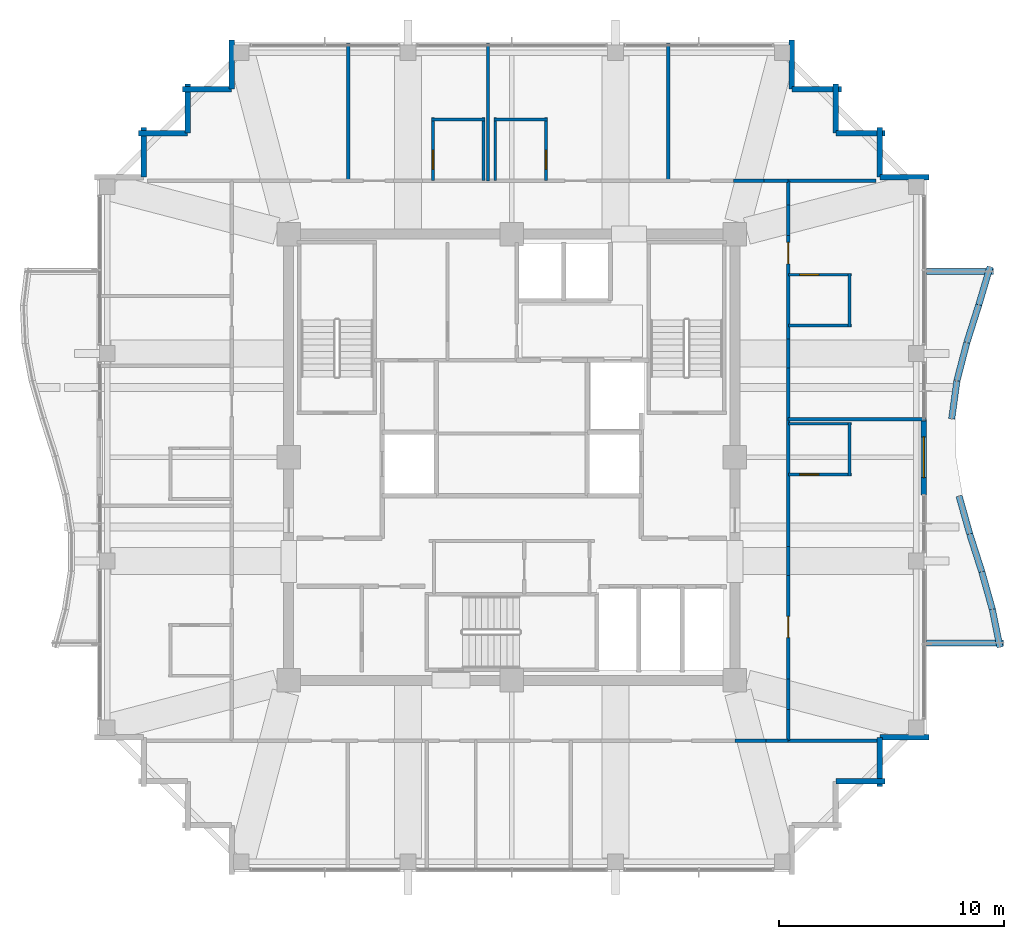
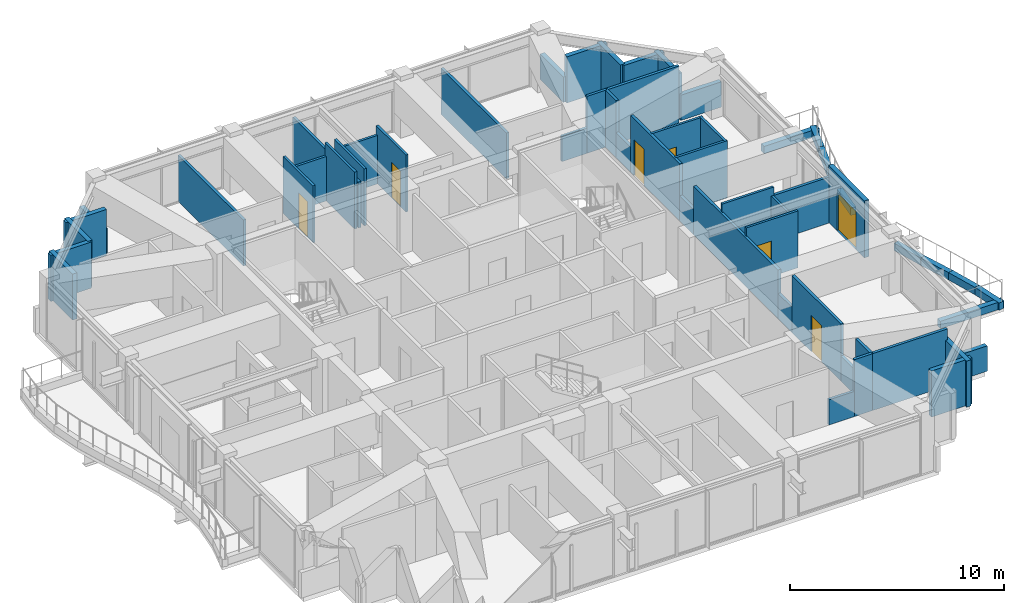
# One storey, part 28 of 31: 56 walls, 7 doors, 7 openings.
"""IFC4 building model written with IfcOpenShell, lengths in metres."""

from ifc_helpers import new_model, si_unit, direction, frame, frame_2d, origin, place, context, subcontext, project, spatial, rectangle, extrude, material, layer, layer_set, type_object, element, fill, save


model = new_model("IFC4")

# Units and contexts
model_context = context("Model", 3, precision=1e-05, world=origin(), true_north=direction((0.0, 1.0)))
body_context = subcontext(model_context, "Body", "Model", "MODEL_VIEW")
ifc_project = project(units=[si_unit("LENGTHUNIT", "METRE"), si_unit("AREAUNIT", "SQUARE_METRE"), si_unit("VOLUMEUNIT", "CUBIC_METRE"), si_unit("PLANEANGLEUNIT", "RADIAN"), si_unit("MASSUNIT", "GRAM", prefix="KILO")], contexts=[model_context])

# Site, building, storey
site_placement = place(None, origin())
site = spatial("IfcSite", under=ifc_project, at=site_placement, CompositionType="ELEMENT")
building_placement = place(site_placement, origin())
building = spatial("IfcBuilding", under=site, at=building_placement, Name="Kolvaren Belvedere", CompositionType="ELEMENT")
storey_placement = place(building_placement, frame((0.0, 0.0, 237.39990234375)))
storey = spatial("IfcBuildingStorey", under=building, at=storey_placement, Name="L69", CompositionType="ELEMENT", Elevation=237.39990234375)

# Walls
ifc_material_1 = material(Name="Gypsum fire-rated partition assembly", Category="gypsum")
ifc_layer_1 = layer(ifc_material_1, 0.14990234375)
ifc_layer_set_1 = layer_set([ifc_layer_1], Name="Gypsum fire-rated partition assembly")
wall_type_1 = type_object("IfcWallType", Name="WL-CORR-150", PredefinedType="PARTITIONING", material=ifc_layer_set_1)
wall_1_placement = place(storey_placement, frame((9.913818359375, -12.580078125, 0.0), z_axis=(0.0, 0.0, 1.0), x_axis=(1.0, 0.0, 0.0)))
element("IfcWall", 1, at=wall_1_placement, inside=storey, type_object=wall_type_1, Name="L69 South Corridor Wall", PredefinedType="PARTITIONING", context=body_context, shape_type="SweptSolid", body=[
    extrude(rectangle(XDim=1.370361328125, YDim=0.14990234375, at=frame_2d((0.68505859375, 0.0))), origin(), (0.0, 0.0, 1.0), 1.43505859375),
])
wall_2_placement = place(storey_placement, frame((11.2841796875, -12.580078125, 0.0), z_axis=(0.0, 0.0, 1.0), x_axis=(1.0, 0.0, 0.0)))
element("IfcWall", 2, at=wall_2_placement, inside=storey, type_object=wall_type_1, Name="L69 South Corridor Wall", PredefinedType="PARTITIONING", context=body_context, shape_type="SweptSolid", body=[
    extrude(rectangle(XDim=0.975830078125, YDim=0.14990234375, at=frame_2d((0.48779296875, 0.0))), origin(), (0.0, 0.0, 1.0), 3.25),
])
wall_3_placement = place(storey_placement, frame((9.83056640625, 12.260009765625, 0.0), z_axis=(0.0, 0.0, 1.0), x_axis=(1.0, 0.0, 0.0)))
element("IfcWall", 3, at=wall_3_placement, inside=storey, type_object=wall_type_1, Name="L69 North Corridor Wall", PredefinedType="PARTITIONING", context=body_context, shape_type="SweptSolid", body=[
    extrude(rectangle(XDim=1.3701171875, YDim=0.14990234375, at=frame_2d((0.68505859375, 0.0))), origin(), (0.0, 0.0, 1.0), 1.43505859375),
])
wall_4_placement = place(storey_placement, frame((11.20068359375, 12.260009765625, 0.0), z_axis=(0.0, 0.0, 1.0), x_axis=(1.0, 0.0, 0.0)))
element("IfcWall", 4, at=wall_4_placement, inside=storey, type_object=wall_type_1, Name="L69 North Corridor Wall", PredefinedType="PARTITIONING", context=body_context, shape_type="SweptSolid", body=[
    extrude(rectangle(XDim=1.059326171875, YDim=0.14990234375, at=frame_2d((0.52978515625, 0.0))), origin(), (0.0, 0.0, 1.0), 3.25),
])
wall_5_placement = place(storey_placement, frame((12.260009765625, -12.580078125, 0.0), z_axis=(0.0, 0.0, 1.0), x_axis=(0.0, 1.0, 0.0)))
element("IfcWall", 5, at=wall_5_placement, inside=storey, type_object=wall_type_1, Name="L69 East Corridor Wall", PredefinedType="PARTITIONING", context=body_context, shape_type="SweptSolid", body=[
    extrude(rectangle(XDim=1.37939453125, YDim=0.14990234375, at=frame_2d((0.689697265625, 0.0))), origin(), (0.0, 0.0, 1.0), 3.25),
])
wall_6_placement = place(storey_placement, frame((12.260009765625, -11.20068359375, 0.0), z_axis=(0.0, 0.0, 1.0), x_axis=(0.0, 1.0, 0.0)))
element("IfcWall", 6, at=wall_6_placement, inside=storey, type_object=wall_type_1, Name="L69 East Corridor Wall", PredefinedType="PARTITIONING", context=body_context, shape_type="SweptSolid", body=[
    extrude(rectangle(XDim=1.3701171875, YDim=0.14990234375, at=frame_2d((0.68505859375, 0.0))), origin(), (0.0, 0.0, 1.0), 1.43505859375),
])

# Wall, opening, door
wall_7_placement = place(storey_placement, frame((12.260009765625, -9.83056640625, 0.0), z_axis=(0.0, 0.0, 1.0), x_axis=(0.0, 1.0, 0.0)))
wall_7 = element("IfcWall", 7, at=wall_7_placement, inside=storey, type_object=wall_type_1, Name="L69 East Corridor Wall", PredefinedType="PARTITIONING", context=body_context, shape_type="SweptSolid", body=[
    extrude(rectangle(XDim=4.588623046875, YDim=0.14990234375, at=frame_2d((2.29443359375, 0.0))), origin(), (0.0, 0.0, 1.0), 3.25),
])
opening_1_placement = place(wall_7_placement, frame((1.820556640625, 0.0, 0.0)))
opening_1 = element("IfcOpeningElement", 8, at=opening_1_placement, cuts=wall_7, Name="Opening D-FD60", PredefinedType="OPENING", context=body_context, shape_type="SweptSolid", body=[
    extrude(rectangle(XDim=0.949951171875, YDim=2.06005859375, at=frame_2d((0.47509765625, 1.030029296875))), frame((0.0, 0.0849609375, 0.0), z_axis=(0.0, -1.0, 0.0), x_axis=(1.0, 0.0, 0.0)), (0.0, 0.0, 1.0), 0.169921875),
])
ifc_material_2 = material(Name="Acoustic white-oak fire door leaf", Category="timber")
door_type_1 = type_object("IfcDoorType", Name="DR-FD60-950", OperationType="NOTDEFINED", PredefinedType="DOOR", material=ifc_material_2)
door_1_placement = place(opening_1_placement, origin())
door_1 = element("IfcDoor", 9, at=door_1_placement, inside=storey, type_object=door_type_1, Name="L69 King Guest Room 6904 Entry Door", OperationType="SINGLE_SWING_LEFT", OverallHeight=2.06005859375, OverallWidth=0.949951171875, PredefinedType="DOOR", context=body_context, shape_type="SweptSolid", body=[
    extrude(rectangle(XDim=0.949951171875, YDim=2.06005859375, at=frame_2d((0.47509765625, 1.030029296875))), frame((0.0, 0.02490234375, 0.0), z_axis=(0.0, -1.0, 0.0), x_axis=(1.0, 0.0, 0.0)), (0.0, 0.0, 1.0), 0.050048828125),
])
fill(opening_1, door_1)

# Walls
wall_8_placement = place(storey_placement, frame((12.260009765625, -5.241943359375, 0.0), z_axis=(0.0, 0.0, 1.0), x_axis=(0.0, 1.0, 0.0)))
element("IfcWall", 10, at=wall_8_placement, inside=storey, type_object=wall_type_1, Name="L69 East Corridor Wall", PredefinedType="PARTITIONING", context=body_context, shape_type="SweptSolid", body=[
    extrude(rectangle(XDim=1.283935546875, YDim=0.14990234375, at=frame_2d((0.64208984375, 0.0))), origin(), (0.0, 0.0, 1.0), 1.43505859375),
])
wall_9_placement = place(storey_placement, frame((12.260009765625, -3.9580078125, 0.0), z_axis=(0.0, 0.0, 1.0), x_axis=(0.0, 1.0, 0.0)))
element("IfcWall", 11, at=wall_9_placement, inside=storey, type_object=wall_type_1, Name="L69 East Corridor Wall", PredefinedType="PARTITIONING", context=body_context, shape_type="SweptSolid", body=[
    extrude(rectangle(XDim=7.916015625, YDim=0.14990234375, at=frame_2d((3.9580078125, 0.0))), origin(), (0.0, 0.0, 1.0), 2.775146484375),
])
wall_10_placement = place(storey_placement, frame((12.260009765625, 3.9580078125, 0.0), z_axis=(0.0, 0.0, 1.0), x_axis=(0.0, 1.0, 0.0)))
element("IfcWall", 12, at=wall_10_placement, inside=storey, type_object=wall_type_1, Name="L69 East Corridor Wall", PredefinedType="PARTITIONING", context=body_context, shape_type="SweptSolid", body=[
    extrude(rectangle(XDim=1.283935546875, YDim=0.14990234375, at=frame_2d((0.64208984375, 0.0))), origin(), (0.0, 0.0, 1.0), 1.43505859375),
])

# Wall, opening, door
wall_11_placement = place(storey_placement, frame((12.260009765625, 5.241943359375, 0.0), z_axis=(0.0, 0.0, 1.0), x_axis=(0.0, 1.0, 0.0)))
wall_11 = element("IfcWall", 13, at=wall_11_placement, inside=storey, type_object=wall_type_1, Name="L69 East Corridor Wall", PredefinedType="PARTITIONING", context=body_context, shape_type="SweptSolid", body=[
    extrude(rectangle(XDim=4.588623046875, YDim=0.14990234375, at=frame_2d((2.29443359375, 0.0))), origin(), (0.0, 0.0, 1.0), 3.25),
])
opening_2_placement = place(wall_11_placement, frame((3.340576171875, 0.0, 0.0)))
opening_2 = element("IfcOpeningElement", 14, at=opening_2_placement, cuts=wall_11, Name="Opening D-FD60", PredefinedType="OPENING", context=body_context, shape_type="SweptSolid", body=[
    extrude(rectangle(XDim=0.949951171875, YDim=2.06005859375, at=frame_2d((0.47509765625, 1.030029296875))), frame((0.0, 0.0849609375, 0.0), z_axis=(0.0, -1.0, 0.0), x_axis=(1.0, 0.0, 0.0)), (0.0, 0.0, 1.0), 0.169921875),
])
door_2_placement = place(opening_2_placement, origin())
door_2 = element("IfcDoor", 15, at=door_2_placement, inside=storey, type_object=door_type_1, Name="L69 King Guest Room 6905 Entry Door", OperationType="SINGLE_SWING_LEFT", OverallHeight=2.06005859375, OverallWidth=0.949951171875, PredefinedType="DOOR", context=body_context, shape_type="SweptSolid", body=[
    extrude(rectangle(XDim=0.949951171875, YDim=2.06005859375, at=frame_2d((0.47509765625, 1.030029296875))), frame((0.0, 0.02490234375, 0.0), z_axis=(0.0, -1.0, 0.0), x_axis=(1.0, 0.0, 0.0)), (0.0, 0.0, 1.0), 0.050048828125),
])
fill(opening_2, door_2)

# Walls
wall_12_placement = place(storey_placement, frame((12.260009765625, 9.83056640625, 0.0), z_axis=(0.0, 0.0, 1.0), x_axis=(0.0, 1.0, 0.0)))
element("IfcWall", 16, at=wall_12_placement, inside=storey, type_object=wall_type_1, Name="L69 East Corridor Wall", PredefinedType="PARTITIONING", context=body_context, shape_type="SweptSolid", body=[
    extrude(rectangle(XDim=1.3701171875, YDim=0.14990234375, at=frame_2d((0.68505859375, 0.0))), origin(), (0.0, 0.0, 1.0), 1.43505859375),
])
wall_13_placement = place(storey_placement, frame((12.260009765625, 11.20068359375, 0.0), z_axis=(0.0, 0.0, 1.0), x_axis=(0.0, 1.0, 0.0)))
element("IfcWall", 17, at=wall_13_placement, inside=storey, type_object=wall_type_1, Name="L69 East Corridor Wall", PredefinedType="PARTITIONING", context=body_context, shape_type="SweptSolid", body=[
    extrude(rectangle(XDim=1.059326171875, YDim=0.14990234375, at=frame_2d((0.52978515625, 0.0))), origin(), (0.0, 0.0, 1.0), 3.25),
])
ifc_material_3 = material(Name="Insulated pale-metal facade wall assembly", Category="aluminium")
ifc_layer_2 = layer(ifc_material_3, 0.239990234375)
ifc_layer_set_2 = layer_set([ifc_layer_2], Name="Insulated pale-metal facade wall assembly")
wall_type_2 = type_object("IfcWallType", Name="WL-EXT-240", PredefinedType="STANDARD", material=ifc_layer_set_2)
for number, where, z_axis, x_axis, name in (
    (18, (16.570068359375, -14.3798828125, 0.0), (0.0, 0.0, 1.0), (-1.0, 0.0, 0.0), "L69 Serrated Corner Facade Wall 5"),
    (19, (16.330078125, -12.429931640625, 0.0), (0.0, 0.0, 1.0), (0.0, -1.0, 0.0), "L69 Serrated Corner Facade Wall 6"),
):
    element("IfcWall", number, at=place(storey_placement, frame(where, z_axis=z_axis, x_axis=x_axis)), inside=storey, type_object=wall_type_2, Name=name, PredefinedType="STANDARD", context=body_context, shape_type="SweptSolid", body=[
        extrude(rectangle(XDim=2.190185546875, YDim=0.239990234375, at=frame_2d((1.09521484375, 0.0))), origin(), (0.0, 0.0, 1.0), 2.633056640625),
    ])
wall_14_placement = place(storey_placement, frame((18.52001953125, -12.429931640625, 0.0), z_axis=(0.0, 0.0, 1.0), x_axis=(-1.0, 0.0, 0.0)))
element("IfcWall", 20, at=wall_14_placement, inside=storey, type_object=wall_type_2, Name="L69 Serrated Corner Facade Wall 7", PredefinedType="STANDARD", context=body_context, shape_type="SweptSolid", body=[
    extrude(rectangle(XDim=2.18994140625, YDim=0.239990234375, at=frame_2d((1.094970703125, 0.0))), origin(), (0.0, 0.0, 1.0), 1.445068359375),
])

# Wall, opening, door
wall_15_placement = place(storey_placement, frame((18.280029296875, 1.679931640625, 0.0), z_axis=(0.0, 0.0, 1.0), x_axis=(0.0, -1.0, 0.0)))
wall_15 = element("IfcWall", 21, at=wall_15_placement, inside=storey, type_object=wall_type_2, Name="L69 East Terrace Portal Wall", PredefinedType="STANDARD", context=body_context, shape_type="SweptSolid", body=[
    extrude(rectangle(XDim=3.35986328125, YDim=0.239990234375, at=frame_2d((1.679931640625, 0.0))), origin(), (0.0, 0.0, 1.0), 3.25),
])
opening_3_placement = place(wall_15_placement, frame((0.780029296875, 0.0, 0.0)))
opening_3 = element("IfcOpeningElement", 22, at=opening_3_placement, cuts=wall_15, Name="Opening DB-1800", PredefinedType="OPENING", context=body_context, shape_type="SweptSolid", body=[
    extrude(rectangle(XDim=1.800048828125, YDim=2.199951171875, at=frame_2d((0.89990234375, 1.10009765625))), frame((0.0, 0.1298828125, 0.0), z_axis=(0.0, -1.0, 0.0), x_axis=(1.0, 0.0, 0.0)), (0.0, 0.0, 1.0), 0.260009765625),
])
ifc_material_4 = material(Name="Thermally broken pale-metal aluminium & low-iron glass", Category="aluminium")
door_type_2 = type_object("IfcDoorType", Name="DR-BAL-1800", OperationType="DOUBLE_DOOR_SLIDING", PredefinedType="DOOR", material=ifc_material_4)
door_3_placement = place(opening_3_placement, origin())
door_3 = element("IfcDoor", 23, at=door_3_placement, inside=storey, type_object=door_type_2, Name="L69 East Planted Terrace Sliding Door", OperationType="DOUBLE_DOOR_SLIDING", OverallHeight=2.199951171875, OverallWidth=1.800048828125, PredefinedType="DOOR", context=body_context, shape_type="SweptSolid", body=[
    extrude(rectangle(XDim=1.800048828125, YDim=2.199951171875, at=frame_2d((0.89990234375, 1.10009765625))), frame((0.0, 0.02490234375, 0.0), z_axis=(0.0, -1.0, 0.0), x_axis=(1.0, 0.0, 0.0)), (0.0, 0.0, 1.0), 0.050048828125),
])
fill(opening_3, door_3)

# Walls
wall_16_placement = place(storey_placement, frame((16.330078125, 12.429931640625, 0.0), z_axis=(0.0, 0.0, 1.0), x_axis=(1.0, 0.0, 0.0)))
element("IfcWall", 24, at=wall_16_placement, inside=storey, type_object=wall_type_2, Name="L69 Serrated Corner Facade Wall 9", PredefinedType="STANDARD", context=body_context, shape_type="SweptSolid", body=[
    extrude(rectangle(XDim=2.18994140625, YDim=0.239990234375, at=frame_2d((1.094970703125, 0.0))), origin(), (0.0, 0.0, 1.0), 1.445068359375),
])
for number, where, z_axis, x_axis, name in (
    (25, (16.330078125, 14.6201171875, 0.0), (0.0, 0.0, 1.0), (0.0, -1.0, 0.0), "L69 Serrated Corner Facade Wall 10"),
    (26, (14.3798828125, 14.3798828125, 0.0), (0.0, 0.0, 1.0), (1.0, 0.0, 0.0), "L69 Serrated Corner Facade Wall 11"),
    (27, (14.3798828125, 16.570068359375, 0.0), (0.0, 0.0, 1.0), (0.0, -1.0, 0.0), "L69 Serrated Corner Facade Wall 12"),
    (28, (12.429931640625, 16.330078125, 0.0), (0.0, 0.0, 1.0), (1.0, 0.0, 0.0), "L69 Serrated Corner Facade Wall 13"),
):
    element("IfcWall", number, at=place(storey_placement, frame(where, z_axis=z_axis, x_axis=x_axis)), inside=storey, type_object=wall_type_2, Name=name, PredefinedType="STANDARD", context=body_context, shape_type="SweptSolid", body=[
        extrude(rectangle(XDim=2.190185546875, YDim=0.239990234375, at=frame_2d((1.09521484375, 0.0))), origin(), (0.0, 0.0, 1.0), 2.633056640625),
    ])
for number, where, z_axis, x_axis, name in (
    (29, (12.429931640625, 18.52001953125, 0.0), (0.0, 0.0, 1.0), (0.0, -1.0, 0.0), "L69 Serrated Corner Facade Wall 14"),
    (30, (-12.429931640625, 16.330078125, 0.0), (0.0, 0.0, 1.0), (0.0, 1.0, 0.0), "L69 Serrated Corner Facade Wall 16"),
):
    element("IfcWall", number, at=place(storey_placement, frame(where, z_axis=z_axis, x_axis=x_axis)), inside=storey, type_object=wall_type_2, Name=name, PredefinedType="STANDARD", context=body_context, shape_type="SweptSolid", body=[
        extrude(rectangle(XDim=2.18994140625, YDim=0.239990234375, at=frame_2d((1.094970703125, 0.0))), origin(), (0.0, 0.0, 1.0), 1.445068359375),
    ])
for number, where, z_axis, x_axis, name in (
    (31, (-14.6201171875, 16.330078125, 0.0), (0.0, 0.0, 1.0), (1.0, 0.0, 0.0), "L69 Serrated Corner Facade Wall 17"),
    (32, (-14.3798828125, 14.3798828125, 0.0), (0.0, 0.0, 1.0), (0.0, 1.0, 0.0), "L69 Serrated Corner Facade Wall 18"),
    (33, (-16.570068359375, 14.3798828125, 0.0), (0.0, 0.0, 1.0), (1.0, 0.0, 0.0), "L69 Serrated Corner Facade Wall 19"),
    (34, (-16.330078125, 12.429931640625, 0.0), (0.0, 0.0, 1.0), (0.0, 1.0, 0.0), "L69 Serrated Corner Facade Wall 20"),
):
    element("IfcWall", number, at=place(storey_placement, frame(where, z_axis=z_axis, x_axis=x_axis)), inside=storey, type_object=wall_type_2, Name=name, PredefinedType="STANDARD", context=body_context, shape_type="SweptSolid", body=[
        extrude(rectangle(XDim=2.190185546875, YDim=0.239990234375, at=frame_2d((1.09521484375, 0.0))), origin(), (0.0, 0.0, 1.0), 2.633056640625),
    ])
ifc_material_5 = material(Name="Gypsum acoustic partition assembly", Category="gypsum")
ifc_layer_3 = layer(ifc_material_5, 0.14990234375)
ifc_layer_set_3 = layer_set([ifc_layer_3], Name="Gypsum acoustic partition assembly")
wall_type_3 = type_object("IfcWallType", Name="WL-PART-150", PredefinedType="PARTITIONING", material=ifc_layer_set_3)
wall_17_placement = place(storey_placement, frame((12.260009765625, -12.580078125, 0.0), z_axis=(0.0, 0.0, 1.0), x_axis=(1.0, 0.0, 0.0)))
element("IfcWall", 35, at=wall_17_placement, inside=storey, type_object=wall_type_3, Name="L69 Wing Divider PW-L69-QSE", PredefinedType="PARTITIONING", context=body_context, shape_type="SweptSolid", body=[
    extrude(rectangle(XDim=4.06005859375, YDim=0.14990234375, at=frame_2d((2.030029296875, 0.0))), origin(), (0.0, 0.0, 1.0), 3.25),
])
wall_18_placement = place(storey_placement, frame((12.260009765625, 12.260009765625, 0.0), z_axis=(0.0, 0.0, 1.0), x_axis=(1.0, 0.0, 0.0)))
element("IfcWall", 36, at=wall_18_placement, inside=storey, type_object=wall_type_3, Name="L69 Wing Divider PW-L69-QNE", PredefinedType="PARTITIONING", context=body_context, shape_type="SweptSolid", body=[
    extrude(rectangle(XDim=3.8984375, YDim=0.14990234375, at=frame_2d((1.94921875, 0.0))), origin(), (0.0, 0.0, 1.0), 3.25),
])
for number, where, z_axis, x_axis, name in (
    (37, (12.260009765625, 1.679931640625, 0.0), (0.0, 0.0, 1.0), (1.0, 0.0, 0.0), "L69 East Suite Demising Wall 1"),
    (38, (-7.251953125, 12.260009765625, 0.0), (0.0, 0.0, 1.0), (0.0, 1.0, 0.0), "L69 North Suite Demising Wall 1"),
    (39, (-1.052001953125, 12.260009765625, 0.0), (0.0, 0.0, 1.0), (0.0, 1.0, 0.0), "L69 North Suite Demising Wall 2"),
    (40, (6.947998046875, 12.260009765625, 0.0), (0.0, 0.0, 1.0), (0.0, 1.0, 0.0), "L69 North Suite Demising Wall 3"),
):
    element("IfcWall", number, at=place(storey_placement, frame(where, z_axis=z_axis, x_axis=x_axis)), inside=storey, type_object=wall_type_3, Name=name, PredefinedType="PARTITIONING", context=body_context, shape_type="SweptSolid", body=[
        extrude(rectangle(XDim=6.119873046875, YDim=0.14990234375, at=frame_2d((3.06005859375, 0.0))), origin(), (0.0, 0.0, 1.0), 2.623046875),
    ])
ifc_material_6 = material(Name="Precast concrete C40/50", Category="concrete")
ifc_layer_4 = layer(ifc_material_6, 0.300048828125)
ifc_layer_set_4 = layer_set([ifc_layer_4], Name="Precast concrete C40/50")
wall_type_4 = type_object("IfcWallType", Name="WL-PLANTER-300", PredefinedType="PARAPET", material=ifc_layer_set_4)
wall_19_placement = place(storey_placement, frame((21.6630859375, -8.431884765625, -0.06982421875), z_axis=(0.0, 0.0, 1.0), x_axis=(-0.198662427795, 0.980067977123, 0.0)))
element("IfcWall", 41, at=wall_19_placement, inside=storey, type_object=wall_type_4, Name="L69 Precast Structural Planter Wall BAL-E-1", PredefinedType="PARAPET", context=body_context, shape_type="SweptSolid", body=[
    extrude(rectangle(XDim=1.71435546875, YDim=0.280029296875, at=frame_2d((0.857177734375, 0.0))), origin(), (0.0, 0.0, 1.0), 0.419921875),
])
wall_20_placement = place(storey_placement, frame((21.3251953125, -6.76318359375, -0.06982421875), z_axis=(0.0, 0.0, 1.0), x_axis=(-0.269801210823, 0.962916043401, 0.0)))
element("IfcWall", 42, at=wall_20_placement, inside=storey, type_object=wall_type_4, Name="L69 Precast Structural Planter Wall BAL-E-2", PredefinedType="PARAPET", context=body_context, shape_type="SweptSolid", body=[
    extrude(rectangle(XDim=1.74462890625, YDim=0.280029296875, at=frame_2d((0.872314453125, 0.0))), origin(), (0.0, 0.0, 1.0), 0.419921875),
])
wall_21_placement = place(storey_placement, frame((20.856201171875, -5.088623046875, -0.06982421875), z_axis=(0.0, 0.0, 1.0), x_axis=(-0.304534629099, 0.952501264923, 0.0)))
element("IfcWall", 43, at=wall_21_placement, inside=storey, type_object=wall_type_4, Name="L69 Precast Structural Planter Wall BAL-E-3", PredefinedType="PARAPET", context=body_context, shape_type="SweptSolid", body=[
    extrude(rectangle(XDim=1.763671875, YDim=0.280029296875, at=frame_2d((0.8818359375, 0.0))), origin(), (0.0, 0.0, 1.0), 0.419921875),
])
wall_22_placement = place(storey_placement, frame((20.3173828125, -3.4033203125, -0.06982421875), z_axis=(0.0, 0.0, 1.0), x_axis=(-0.269764860108, 0.962926227834, 0.0)))
element("IfcWall", 44, at=wall_22_placement, inside=storey, type_object=wall_type_4, Name="L69 Precast Structural Planter Wall BAL-E-4", PredefinedType="PARAPET", context=body_context, shape_type="SweptSolid", body=[
    extrude(rectangle(XDim=1.744873046875, YDim=0.280029296875, at=frame_2d((0.87255859375, 0.0))), origin(), (0.0, 0.0, 1.0), 0.419921875),
])
wall_23_placement = place(storey_placement, frame((19.5205078125, 1.70166015625, -0.06982421875), z_axis=(0.0, 0.0, 1.0), x_axis=(0.134926850989, 0.990855562068, 0.0)))
element("IfcWall", 45, at=wall_23_placement, inside=storey, type_object=wall_type_4, Name="L69 Precast Structural Planter Wall BAL-E-7", PredefinedType="PARAPET", context=body_context, shape_type="SweptSolid", body=[
    extrude(rectangle(XDim=1.695556640625, YDim=0.280029296875, at=frame_2d((0.84765625, 0.0))), origin(), (0.0, 0.0, 1.0), 0.419921875),
])
wall_24_placement = place(storey_placement, frame((19.7529296875, 3.400146484375, -0.06982421875), z_axis=(0.0, 0.0, 1.0), x_axis=(0.250439664624, 0.968132209145, 0.0)))
element("IfcWall", 46, at=wall_24_placement, inside=storey, type_object=wall_type_4, Name="L69 Precast Structural Planter Wall BAL-E-8", PredefinedType="PARAPET", context=body_context, shape_type="SweptSolid", body=[
    extrude(rectangle(XDim=1.7353515625, YDim=0.280029296875, at=frame_2d((0.86767578125, 0.0))), origin(), (0.0, 0.0, 1.0), 0.419921875),
])
wall_25_placement = place(storey_placement, frame((20.18994140625, 5.08837890625, -0.06982421875), z_axis=(0.0, 0.0, 1.0), x_axis=(0.302397356111, 0.953181954832, 0.0)))
element("IfcWall", 47, at=wall_25_placement, inside=storey, type_object=wall_type_4, Name="L69 Precast Structural Planter Wall BAL-E-9", PredefinedType="PARAPET", context=body_context, shape_type="SweptSolid", body=[
    extrude(rectangle(XDim=1.762451171875, YDim=0.280029296875, at=frame_2d((0.88134765625, 0.0))), origin(), (0.0, 0.0, 1.0), 0.419921875),
])
wall_26_placement = place(storey_placement, frame((20.721923828125, 6.765625, -0.06982421875), z_axis=(0.0, 0.0, 1.0), x_axis=(0.28500831833, 0.958525043221, 0.0)))
element("IfcWall", 48, at=wall_26_placement, inside=storey, type_object=wall_type_4, Name="L69 Precast Structural Planter Wall BAL-E-10", PredefinedType="PARAPET", context=body_context, shape_type="SweptSolid", body=[
    extrude(rectangle(XDim=1.752685546875, YDim=0.280029296875, at=frame_2d((0.87646484375, 0.0))), origin(), (0.0, 0.0, 1.0), 0.419921875),
])
wall_27_placement = place(storey_placement, frame((21.374755859375, 8.239990234375, -0.06982421875), z_axis=(0.0, 0.0, 1.0), x_axis=(-1.0, 0.0, 0.0)))
element("IfcWall", 49, at=wall_27_placement, inside=storey, type_object=wall_type_4, Name="L69 Precast Structural Planter Wall BAL-E-11", PredefinedType="PARAPET", context=body_context, shape_type="SweptSolid", body=[
    extrude(rectangle(XDim=2.974853515625, YDim=0.280029296875, at=frame_2d((1.4873046875, 0.0))), origin(), (0.0, 0.0, 1.0), 0.419921875),
])
wall_28_placement = place(storey_placement, frame((18.39990234375, -8.239990234375, -0.06982421875), z_axis=(0.0, 0.0, 1.0), x_axis=(1.0, 0.0, 0.0)))
element("IfcWall", 50, at=wall_28_placement, inside=storey, type_object=wall_type_4, Name="L69 Precast Structural Planter Wall BAL-E-22", PredefinedType="PARAPET", context=body_context, shape_type="SweptSolid", body=[
    extrude(rectangle(XDim=3.420166015625, YDim=0.280029296875, at=frame_2d((1.7099609375, 0.0))), origin(), (0.0, 0.0, 1.0), 0.419921875),
])

# Wall, opening, door
ifc_material_7 = material(Name="Moisture-resistant gypsum partition", Category="gypsum")
ifc_layer_5 = layer(ifc_material_7, 0.125)
ifc_layer_set_5 = layer_set([ifc_layer_5], Name="Moisture-resistant gypsum partition")
wall_type_5 = type_object("IfcWallType", Name="WL-WET-125", PredefinedType="PARTITIONING", material=ifc_layer_set_5)
wall_29_placement = place(storey_placement, frame((12.27490234375, -0.764892578125, 0.0), z_axis=(0.0, 0.0, 1.0), x_axis=(1.0, 0.0, 0.0)))
wall_29 = element("IfcWall", 51, at=wall_29_placement, inside=storey, type_object=wall_type_5, Name="L69 Bathroom Partition PW-L69-BTH-4-N", PredefinedType="PARTITIONING", context=body_context, shape_type="SweptSolid", body=[
    extrude(rectangle(XDim=2.7900390625, YDim=0.125, at=frame_2d((1.39501953125, 0.0))), origin(), (0.0, 0.0, 1.0), 3.25),
])
opening_4_placement = place(wall_29_placement, frame((0.5, 0.0, 0.0)))
opening_4 = element("IfcOpeningElement", 52, at=opening_4_placement, cuts=wall_29, Name="Opening D-BTH85", PredefinedType="OPENING", context=body_context, shape_type="SweptSolid", body=[
    extrude(rectangle(XDim=0.85009765625, YDim=2.030029296875, at=frame_2d((0.425048828125, 1.01513671875))), frame((0.0, 0.072509765625, 0.0), z_axis=(0.0, -1.0, 0.0), x_axis=(1.0, 0.0, 0.0)), (0.0, 0.0, 1.0), 0.14501953125),
])
ifc_material_8 = material(Name="Moisture-sealed Pacific white oak", Category="timber")
door_type_3 = type_object("IfcDoorType", Name="DR-BATH-850", OperationType="NOTDEFINED", PredefinedType="DOOR", material=ifc_material_8)
door_4_placement = place(opening_4_placement, origin())
door_4 = element("IfcDoor", 53, at=door_4_placement, inside=storey, type_object=door_type_3, Name="L69 En-Suite Bathroom 6904 Door", OperationType="SINGLE_SWING_RIGHT", OverallHeight=2.030029296875, OverallWidth=0.85009765625, PredefinedType="DOOR", context=body_context, shape_type="SweptSolid", body=[
    extrude(rectangle(XDim=0.85009765625, YDim=2.030029296875, at=frame_2d((0.425048828125, 1.01513671875))), frame((0.0, 0.02490234375, 0.0), z_axis=(0.0, -1.0, 0.0), x_axis=(1.0, 0.0, 0.0)), (0.0, 0.0, 1.0), 0.050048828125),
])
fill(opening_4, door_4)

# Walls
wall_30_placement = place(storey_placement, frame((14.985107421875, -0.824951171875, 0.0), z_axis=(0.0, 0.0, 1.0), x_axis=(0.0, 1.0, 0.0)))
element("IfcWall", 54, at=wall_30_placement, inside=storey, type_object=wall_type_5, Name="L69 Bathroom Partition PW-L69-BTH-4-V", PredefinedType="PARTITIONING", context=body_context, shape_type="SweptSolid", body=[
    extrude(rectangle(XDim=2.369873046875, YDim=0.125, at=frame_2d((1.18505859375, 0.0))), origin(), (0.0, 0.0, 1.0), 2.775146484375),
])
wall_31_placement = place(storey_placement, frame((12.27490234375, 1.485107421875, 0.0), z_axis=(0.0, 0.0, 1.0), x_axis=(1.0, 0.0, 0.0)))
element("IfcWall", 55, at=wall_31_placement, inside=storey, type_object=wall_type_5, Name="L69 Bathroom Partition PW-L69-BTH-4-S", PredefinedType="PARTITIONING", context=body_context, shape_type="SweptSolid", body=[
    extrude(rectangle(XDim=2.7900390625, YDim=0.125, at=frame_2d((1.39501953125, 0.0))), origin(), (0.0, 0.0, 1.0), 3.25),
])

# Wall, opening, door
wall_32_placement = place(storey_placement, frame((12.27490234375, 8.094970703125, 0.0), z_axis=(0.0, 0.0, 1.0), x_axis=(1.0, 0.0, 0.0)))
wall_32 = element("IfcWall", 56, at=wall_32_placement, inside=storey, type_object=wall_type_5, Name="L69 Bathroom Partition PW-L69-BTH-5-N", PredefinedType="PARTITIONING", context=body_context, shape_type="SweptSolid", body=[
    extrude(rectangle(XDim=2.7900390625, YDim=0.125, at=frame_2d((1.39501953125, 0.0))), origin(), (0.0, 0.0, 1.0), 3.25),
])
opening_5_placement = place(wall_32_placement, frame((0.5, 0.0, 0.0)))
opening_5 = element("IfcOpeningElement", 57, at=opening_5_placement, cuts=wall_32, Name="Opening D-BTH85", PredefinedType="OPENING", context=body_context, shape_type="SweptSolid", body=[
    extrude(rectangle(XDim=0.85009765625, YDim=2.030029296875, at=frame_2d((0.425048828125, 1.01513671875))), frame((0.0, 0.072509765625, 0.0), z_axis=(0.0, -1.0, 0.0), x_axis=(1.0, 0.0, 0.0)), (0.0, 0.0, 1.0), 0.14501953125),
])
door_5_placement = place(opening_5_placement, origin())
door_5 = element("IfcDoor", 58, at=door_5_placement, inside=storey, type_object=door_type_3, Name="L69 En-Suite Bathroom 6905 Door", OperationType="SINGLE_SWING_RIGHT", OverallHeight=2.030029296875, OverallWidth=0.85009765625, PredefinedType="DOOR", context=body_context, shape_type="SweptSolid", body=[
    extrude(rectangle(XDim=0.85009765625, YDim=2.030029296875, at=frame_2d((0.425048828125, 1.01513671875))), frame((0.0, 0.02490234375, 0.0), z_axis=(0.0, -1.0, 0.0), x_axis=(1.0, 0.0, 0.0)), (0.0, 0.0, 1.0), 0.050048828125),
])
fill(opening_5, door_5)

# Walls
wall_33_placement = place(storey_placement, frame((14.985107421875, 5.784912109375, 0.0), z_axis=(0.0, 0.0, 1.0), x_axis=(0.0, 1.0, 0.0)))
element("IfcWall", 59, at=wall_33_placement, inside=storey, type_object=wall_type_5, Name="L69 Bathroom Partition PW-L69-BTH-5-V", PredefinedType="PARTITIONING", context=body_context, shape_type="SweptSolid", body=[
    extrude(rectangle(XDim=2.3701171875, YDim=0.125, at=frame_2d((1.18505859375, 0.0))), origin(), (0.0, 0.0, 1.0), 3.25),
])
wall_34_placement = place(storey_placement, frame((12.27490234375, 5.844970703125, 0.0), z_axis=(0.0, 0.0, 1.0), x_axis=(1.0, 0.0, 0.0)))
element("IfcWall", 60, at=wall_34_placement, inside=storey, type_object=wall_type_5, Name="L69 Bathroom Partition PW-L69-BTH-5-S", PredefinedType="PARTITIONING", context=body_context, shape_type="SweptSolid", body=[
    extrude(rectangle(XDim=2.7900390625, YDim=0.125, at=frame_2d((1.39501953125, 0.0))), origin(), (0.0, 0.0, 1.0), 3.25),
])

# Wall, opening, door
wall_35_placement = place(storey_placement, frame((-3.4970703125, 12.27490234375, 0.0), z_axis=(0.0, 0.0, 1.0), x_axis=(0.0, 1.0, 0.0)))
wall_35 = element("IfcWall", 61, at=wall_35_placement, inside=storey, type_object=wall_type_5, Name="L69 Bathroom Partition PW-L69-BTH-11-E", PredefinedType="PARTITIONING", context=body_context, shape_type="SweptSolid", body=[
    extrude(rectangle(XDim=2.7900390625, YDim=0.125, at=frame_2d((1.39501953125, 0.0))), origin(), (0.0, 0.0, 1.0), 3.25),
])
opening_6_placement = place(wall_35_placement, frame((0.5, 0.0, 0.0)))
opening_6 = element("IfcOpeningElement", 62, at=opening_6_placement, cuts=wall_35, Name="Opening D-BTH85", PredefinedType="OPENING", context=body_context, shape_type="SweptSolid", body=[
    extrude(rectangle(XDim=0.85009765625, YDim=2.030029296875, at=frame_2d((0.425048828125, 1.01513671875))), frame((0.0, 0.072509765625, 0.0), z_axis=(0.0, -1.0, 0.0), x_axis=(1.0, 0.0, 0.0)), (0.0, 0.0, 1.0), 0.14501953125),
])
door_6_placement = place(opening_6_placement, origin())
door_6 = element("IfcDoor", 63, at=door_6_placement, inside=storey, type_object=door_type_3, Name="L69 En-Suite Bathroom 6911 Door", OperationType="SINGLE_SWING_LEFT", OverallHeight=2.030029296875, OverallWidth=0.85009765625, PredefinedType="DOOR", context=body_context, shape_type="SweptSolid", body=[
    extrude(rectangle(XDim=0.85009765625, YDim=2.030029296875, at=frame_2d((0.425048828125, 1.01513671875))), frame((0.0, 0.02490234375, 0.0), z_axis=(0.0, -1.0, 0.0), x_axis=(1.0, 0.0, 0.0)), (0.0, 0.0, 1.0), 0.050048828125),
])
fill(opening_6, door_6)

# Walls
wall_36_placement = place(storey_placement, frame((-3.556884765625, 14.985107421875, 0.0), z_axis=(0.0, 0.0, 1.0), x_axis=(1.0, 0.0, 0.0)))
element("IfcWall", 64, at=wall_36_placement, inside=storey, type_object=wall_type_5, Name="L69 Bathroom Partition PW-L69-BTH-11-H", PredefinedType="PARTITIONING", context=body_context, shape_type="SweptSolid", body=[
    extrude(rectangle(XDim=2.369873046875, YDim=0.125, at=frame_2d((1.18505859375, 0.0))), origin(), (0.0, 0.0, 1.0), 2.5390625),
])
wall_37_placement = place(storey_placement, frame((-1.2470703125, 12.27490234375, 0.0), z_axis=(0.0, 0.0, 1.0), x_axis=(0.0, 1.0, 0.0)))
element("IfcWall", 65, at=wall_37_placement, inside=storey, type_object=wall_type_5, Name="L69 Bathroom Partition PW-L69-BTH-11-W", PredefinedType="PARTITIONING", context=body_context, shape_type="SweptSolid", body=[
    extrude(rectangle(XDim=2.7900390625, YDim=0.125, at=frame_2d((1.39501953125, 0.0))), origin(), (0.0, 0.0, 1.0), 3.25),
])

# Wall, opening, door
wall_38_placement = place(storey_placement, frame((1.51904296875, 12.27490234375, 0.0), z_axis=(0.0, 0.0, 1.0), x_axis=(0.0, 1.0, 0.0)))
wall_38 = element("IfcWall", 66, at=wall_38_placement, inside=storey, type_object=wall_type_5, Name="L69 Bathroom Partition PW-L69-BTH-12-E", PredefinedType="PARTITIONING", context=body_context, shape_type="SweptSolid", body=[
    extrude(rectangle(XDim=2.7900390625, YDim=0.125, at=frame_2d((1.39501953125, 0.0))), origin(), (0.0, 0.0, 1.0), 3.25),
])
opening_7_placement = place(wall_38_placement, frame((0.5, 0.0, 0.0)))
opening_7 = element("IfcOpeningElement", 67, at=opening_7_placement, cuts=wall_38, Name="Opening D-BTH85", PredefinedType="OPENING", context=body_context, shape_type="SweptSolid", body=[
    extrude(rectangle(XDim=0.85009765625, YDim=2.030029296875, at=frame_2d((0.425048828125, 1.01513671875))), frame((0.0, 0.072509765625, 0.0), z_axis=(0.0, -1.0, 0.0), x_axis=(1.0, 0.0, 0.0)), (0.0, 0.0, 1.0), 0.14501953125),
])
door_7_placement = place(opening_7_placement, origin())
door_7 = element("IfcDoor", 68, at=door_7_placement, inside=storey, type_object=door_type_3, Name="L69 En-Suite Bathroom 6912 Door", OperationType="SINGLE_SWING_LEFT", OverallHeight=2.030029296875, OverallWidth=0.85009765625, PredefinedType="DOOR", context=body_context, shape_type="SweptSolid", body=[
    extrude(rectangle(XDim=0.85009765625, YDim=2.030029296875, at=frame_2d((0.425048828125, 1.01513671875))), frame((0.0, 0.02490234375, 0.0), z_axis=(0.0, -1.0, 0.0), x_axis=(1.0, 0.0, 0.0)), (0.0, 0.0, 1.0), 0.050048828125),
])
fill(opening_7, door_7)

# Walls
wall_39_placement = place(storey_placement, frame((-0.791015625, 14.985107421875, 0.0), z_axis=(0.0, 0.0, 1.0), x_axis=(1.0, 0.0, 0.0)))
element("IfcWall", 69, at=wall_39_placement, inside=storey, type_object=wall_type_5, Name="L69 Bathroom Partition PW-L69-BTH-12-H", PredefinedType="PARTITIONING", context=body_context, shape_type="SweptSolid", body=[
    extrude(rectangle(XDim=2.3701171875, YDim=0.125, at=frame_2d((1.18505859375, 0.0))), origin(), (0.0, 0.0, 1.0), 2.775146484375),
])
wall_40_placement = place(storey_placement, frame((-0.73095703125, 12.27490234375, 0.0), z_axis=(0.0, 0.0, 1.0), x_axis=(0.0, 1.0, 0.0)))
element("IfcWall", 70, at=wall_40_placement, inside=storey, type_object=wall_type_5, Name="L69 Bathroom Partition PW-L69-BTH-12-W", PredefinedType="PARTITIONING", context=body_context, shape_type="SweptSolid", body=[
    extrude(rectangle(XDim=2.7900390625, YDim=0.125, at=frame_2d((1.39501953125, 0.0))), origin(), (0.0, 0.0, 1.0), 3.25),
])

save(model, "model.ifc")
